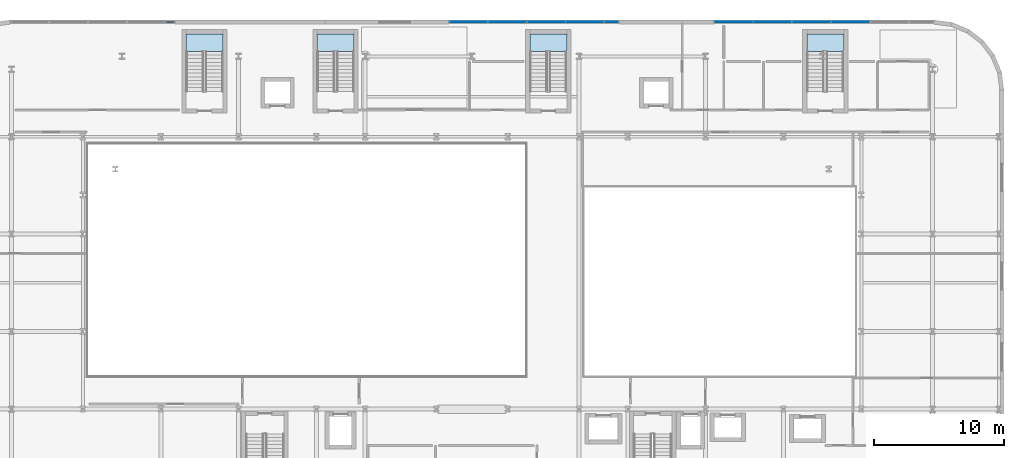
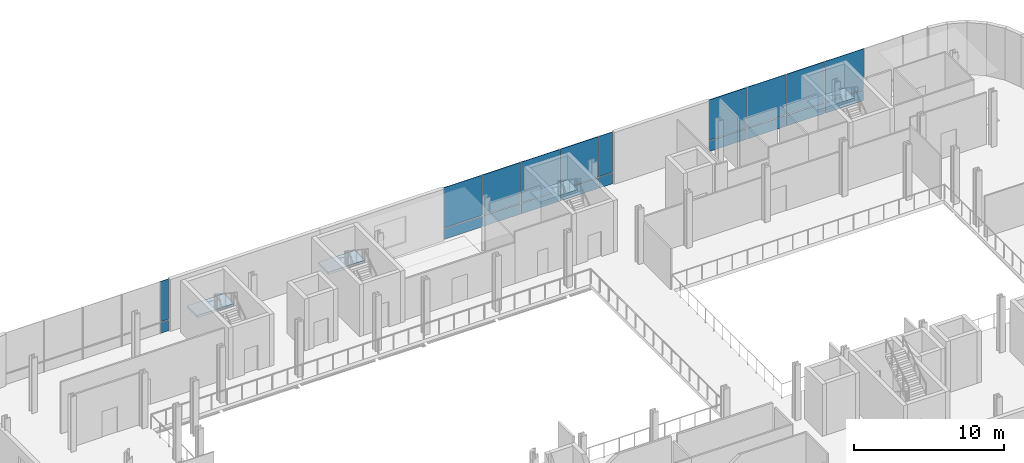
# One storey, part 14 of 25: 20 plates, 4 slabs, 7 elements without a shape of their own.
"""IFC4 building model written with IfcOpenShell, lengths in metres."""

import ifcopenshell
import ifcopenshell.guid

model = None  # the IFC model being written
_history = None  # IfcOwnerHistory: only IFC2X3 demands one
_inside = {}  # id of a spatial element -> (the spatial element, [elements in it])
_under = {}  # id of a project, library or spatial element -> (it, [spatial elements below it])
_declared = {}  # id of a project -> (the project, [libraries it declares])
_typed = {}  # id of a type object -> (the type object, [elements of that type])
_made_of = {}  # id of a material, layer set ... -> (it, [elements and type objects made of it])


def new_model(schema):
    """Start an empty IFC model of exactly this schema.

    Asked for "IFC4X3", IfcOpenShell would pick the latest addendum, in which some entities
    have other attributes; the version numbers below select the first issue.
    IFC2X3 requires an IfcOwnerHistory on every rooted entity: one is made here for all.
    """
    global model, _history
    if schema == "IFC4X3":
        model = ifcopenshell.file(schema_version=(4, 3, 0, 0))
    else:
        model = ifcopenshell.file(schema=schema)
    _inside.clear()
    _under.clear()
    _declared.clear()
    _typed.clear()
    _made_of.clear()
    _history = None
    if model.schema == "IFC2X3":
        org = make("IfcOrganization", Name="unknown")
        user = make(
            "IfcPersonAndOrganization",
            ThePerson=make("IfcPerson", FamilyName="unknown"),
            TheOrganization=org,
        )
        app = make(
            "IfcApplication",
            ApplicationDeveloper=org,
            Version="unknown",
            ApplicationFullName="unknown",
            ApplicationIdentifier="unknown",
        )
        _history = make(
            "IfcOwnerHistory",
            OwningUser=user,
            OwningApplication=app,
            ChangeAction="ADDED",
            CreationDate=0,
        )
    return model


def make(cls, **values):
    """One entity of the class cls with the attributes given. An attribute that is None is left unset."""
    return model.create_entity(
        cls, **{name: value for name, value in values.items() if value is not None}
    )


def rooted(cls, **values):
    """An entity with a GlobalId (a new one), such as an element, a storey or a relation."""
    return make(cls, GlobalId=ifcopenshell.guid.new(), OwnerHistory=_history, **values)


def si_unit(unit_type, name, prefix=None):
    """IfcSIUnit, for example si_unit("LENGTHUNIT", "METRE", prefix="MILLI")."""
    return make("IfcSIUnit", UnitType=unit_type, Prefix=prefix, Name=name)


def assignment(units):
    """IfcUnitAssignment: the units of a project."""
    return None if units is None else make("IfcUnitAssignment", Units=units)


def point(xyz):
    """IfcCartesianPoint."""
    return None if xyz is None else make("IfcCartesianPoint", Coordinates=xyz)


def direction(xyz):
    """IfcDirection."""
    return None if xyz is None else make("IfcDirection", DirectionRatios=xyz)


def frame(location, z_axis=None, x_axis=None):
    """IfcAxis2Placement3D, a coordinate frame: its origin and axes. An axis left out is left unset."""
    return make(
        "IfcAxis2Placement3D",
        Location=point(location),
        Axis=direction(z_axis),
        RefDirection=direction(x_axis),
    )


def frame_2d(location, x_axis=None):
    """IfcAxis2Placement2D, a coordinate frame in the plane: its origin and x axis."""
    return make(
        "IfcAxis2Placement2D", Location=point(location), RefDirection=direction(x_axis)
    )


def origin():
    """The frame at (0, 0, 0) with its axes left unset."""
    return frame((0.0, 0.0, 0.0))


def origin_2d():
    """The frame at (0, 0) in the plane with its x axis left unset."""
    return frame_2d((0.0, 0.0))


def place(relative_to, where):
    """IfcLocalPlacement: puts the frame where relative to a parent placement (None: the world)."""
    return make(
        "IfcLocalPlacement", PlacementRelTo=relative_to, RelativePlacement=where
    )


def context(
    kind, dimensions, precision=None, world=None, true_north=None, identifier=None
):
    """IfcGeometricRepresentationContext, for example the 3D "Model" context."""
    return make(
        "IfcGeometricRepresentationContext",
        ContextIdentifier=identifier,
        ContextType=kind,
        CoordinateSpaceDimension=dimensions,
        Precision=precision,
        WorldCoordinateSystem=world,
        TrueNorth=true_north,
    )


def subcontext(parent, identifier, kind, view, scale=None):
    """IfcGeometricRepresentationSubContext, for example "Body" below "Model"."""
    return make(
        "IfcGeometricRepresentationSubContext",
        ContextIdentifier=identifier,
        ContextType=kind,
        ParentContext=parent,
        TargetScale=scale,
        TargetView=view,
    )


def project(units=None, contexts=None):
    """IfcProject with its units and contexts."""
    return rooted(
        "IfcProject",
        Name="project",
        RepresentationContexts=contexts,
        UnitsInContext=assignment(units),
    )


def spatial(cls, under=None, at=None, **own):
    """A site, building, storey or space (cls), placed at a placement, below another one or the project."""
    s = rooted(cls, ObjectPlacement=at, **own)
    if under is not None:
        _under.setdefault(under.id(), (under, []))[1].append(s)
    return s


def polyline(points):
    """IfcPolyline through the points."""
    return make("IfcPolyline", Points=[point(p) for p in points])


def profile(cls, at=None, kind="AREA", **sizes):
    """A parametric profile (cls). Its sizes go by their IFC names, for example OverallWidth=200.0."""
    return make(cls, ProfileType=kind, Position=at, **sizes)


def rectangle(**sizes):
    """IfcRectangleProfileDef."""
    return profile("IfcRectangleProfileDef", **sizes)


def outline(outer, holes=None, kind="AREA"):
    """IfcArbitraryClosedProfileDef: a profile drawn as a closed curve; with holes, ...WithVoids."""
    if holes is None:
        return make("IfcArbitraryClosedProfileDef", ProfileType=kind, OuterCurve=outer)
    return make(
        "IfcArbitraryProfileDefWithVoids",
        ProfileType=kind,
        OuterCurve=outer,
        InnerCurves=holes,
    )


def extrude(swept, where, along, depth):
    """IfcExtrudedAreaSolid: the profile swept, set in the frame where, extruded along a direction by depth."""
    return make(
        "IfcExtrudedAreaSolid",
        SweptArea=swept,
        Position=where,
        ExtrudedDirection=direction(along),
        Depth=depth,
    )


def shape(context_of_items, identifier, shape_type, items):
    """IfcShapeRepresentation: the items that make up one representation, for example the "Body"."""
    return make(
        "IfcShapeRepresentation",
        ContextOfItems=context_of_items,
        RepresentationIdentifier=identifier,
        RepresentationType=shape_type,
        Items=items,
    )


def material(Name=None, Category=None):
    """IfcMaterial."""
    return make("IfcMaterial", Name=Name, Category=Category)


def layer(
    of_material, thickness, ventilated=None, Name=None, Category=None, Priority=None
):
    """IfcMaterialLayer: one layer of a wall or slab, of a material (None: an air gap)."""
    return make(
        "IfcMaterialLayer",
        Material=of_material,
        LayerThickness=thickness,
        IsVentilated=ventilated,
        Name=Name,
        Category=Category,
        Priority=Priority,
    )


def layer_set(layers, Name=None):
    """IfcMaterialLayerSet."""
    return make("IfcMaterialLayerSet", MaterialLayers=layers, LayerSetName=Name)


def made_of(thing, what):
    """Note that an element or type object is made of a material, layer set ...; save() writes the relation."""
    if what is not None:
        _made_of.setdefault(what.id(), (what, []))[1].append(thing)
    return thing


def type_object(cls, material=None, **own):
    """A type object (cls), such as IfcWallType, which elements share."""
    return made_of(rooted(cls, **own), material)


def element(
    cls,
    number,
    at=None,
    inside=None,
    cuts=None,
    type_object=None,
    material=None,
    context=None,
    identifier="Body",
    shape_type=None,
    held_by="IfcProductDefinitionShape",
    body=None,
    shapes=None,
    **own,
):
    """One element of the class cls, such as IfcWall. Its Tag is "e" and its number.

    at: its placement. inside: the storey or other place that contains it. cuts: it is an
    opening in that element (IfcRelVoidsElement). A single representation is given by context,
    identifier, shape_type and body (its items); several are given by shapes. held_by: the class
    of the entity that holds the representations. save() writes the other relations.
    """
    e = rooted(cls, Tag="e%d" % number, ObjectPlacement=at, **own)
    if body is not None:
        shapes = [shape(context, identifier, shape_type, body)]
    if shapes is not None:
        e.Representation = make(held_by, Representations=shapes)
    if inside is not None:
        _inside.setdefault(inside.id(), (inside, []))[1].append(e)
    if cuts is not None:
        rooted(
            "IfcRelVoidsElement", RelatingBuildingElement=cuts, RelatedOpeningElement=e
        )
    if type_object is not None:
        _typed.setdefault(type_object.id(), (type_object, []))[1].append(e)
    return made_of(e, material)


def aggregate(whole, parts):
    """IfcRelAggregates: a whole, such as a stair, and the parts it consists of."""
    return rooted("IfcRelAggregates", RelatingObject=whole, RelatedObjects=parts)


def save(model, path):
    """Write the relations noted so far, then the file.

    IfcRelAggregates (storeys below a building ...), IfcRelContainedInSpatialStructure (elements
    in a storey), IfcRelDefinesByType, IfcRelAssociatesMaterial and IfcRelDeclares: one each for
    every whole, place, type object, material and project.
    """
    for whole, parts in _under.values():
        aggregate(whole, parts)
    for where, things in _inside.values():
        rooted(
            "IfcRelContainedInSpatialStructure",
            RelatedElements=things,
            RelatingStructure=where,
        )
    for kind, things in _typed.values():
        rooted("IfcRelDefinesByType", RelatedObjects=things, RelatingType=kind)
    for what, things in _made_of.values():
        rooted("IfcRelAssociatesMaterial", RelatedObjects=things, RelatingMaterial=what)
    for by, libraries in _declared.values():
        rooted("IfcRelDeclares", RelatingContext=by, RelatedDefinitions=libraries)
    model.write(path)


model = new_model("IFC4")

# Units and contexts
model_context = context("Model", 3, precision=1e-05, world=origin(), true_north=direction((0.0, 1.0)))
body_context = subcontext(model_context, "Body", "Model", "MODEL_VIEW")
ifc_project = project(units=[si_unit("LENGTHUNIT", "METRE"), si_unit("AREAUNIT", "SQUARE_METRE"), si_unit("VOLUMEUNIT", "CUBIC_METRE"), si_unit("PLANEANGLEUNIT", "RADIAN"), si_unit("MASSUNIT", "GRAM", prefix="KILO")], contexts=[model_context])

# Site, building, storey
site_placement = place(None, origin())
site = spatial("IfcSite", under=ifc_project, at=site_placement, CompositionType="ELEMENT")
building_placement = place(site_placement, origin())
building = spatial("IfcBuilding", under=site, at=building_placement, Name="Brevholm Reach", CompositionType="ELEMENT")
storey_placement = place(building_placement, frame((0.0, 0.0, 9.0)))
storey = spatial("IfcBuildingStorey", under=building, at=storey_placement, Name="L02", CompositionType="ELEMENT", Elevation=9.0)

# Curtain wall, plates
ifc_material_1 = material(Name="Dark Anodised Aluminium 6063-T6 and Solar-Control Glass", Category="aluminium")
ifc_layer_1 = layer(ifc_material_1, 0.1650390625)
ifc_layer_set_1 = layer_set([ifc_layer_1], Name="Dark Anodised Aluminium 6063-T6 and Solar-Control Glass")
curtain_wall_type = type_object("IfcCurtainWallType", Name="CW-03", PredefinedType="NOTDEFINED", material=ifc_layer_set_1)
curtain_wall_1_placement = place(storey_placement, origin())
curtain_wall_1 = element("IfcCurtainWall", 1, at=curtain_wall_1_placement, inside=storey, type_object=curtain_wall_type, Name="L02 Curtain Wall CW-03", PredefinedType="NOTDEFINED")
ifc_material_2 = material(Name="Triple-Glazed Acoustic School IGU Glass", Category="glass")
ifc_layer_2 = layer(ifc_material_2, 0.0439453125)
ifc_layer_set_2 = layer_set([ifc_layer_2], Name="Triple-Glazed Acoustic School IGU Glass")
plate_type = type_object("IfcPlateType", Name="CWP-ACU-44", PredefinedType="CURTAIN_PANEL", material=ifc_layer_set_2)
plate_1_placement = place(storey_placement, frame((6.732421875, 39.830078125, 0.0), z_axis=(0.0, 0.0, 1.0), x_axis=(1.0, 0.0, 0.0)))
plate_1 = element("IfcPlate", 2, at=plate_1_placement, type_object=plate_type, Name="CP-03 Glazing Panel 5.1", PredefinedType="CURTAIN_PANEL", context=body_context, shape_type="SweptSolid", body=[
    extrude(rectangle(XDim=0.594970703125, YDim=0.0439453125, at=origin_2d()), origin(), (0.0, 0.0, 1.0), 0.864990234375),
])
plate_2_placement = place(storey_placement, frame((6.732421875, 39.830078125, 0.93505859375), z_axis=(0.0, 0.0, 1.0), x_axis=(1.0, 0.0, 0.0)))
plate_2 = element("IfcPlate", 3, at=plate_2_placement, type_object=plate_type, Name="CP-03 Glazing Panel 5.2", PredefinedType="CURTAIN_PANEL", context=body_context, shape_type="SweptSolid", body=[
    extrude(rectangle(XDim=0.594970703125, YDim=0.0439453125, at=origin_2d()), origin(), (0.0, 0.0, 1.0), 3.284912109375),
])
aggregate(curtain_wall_1, [plate_1, plate_2])

curtain_wall_2_placement = place(storey_placement, origin())
curtain_wall_2 = element("IfcCurtainWall", 4, at=curtain_wall_2_placement, inside=storey, type_object=curtain_wall_type, Name="L02 Curtain Wall CW-03", PredefinedType="NOTDEFINED")
plate_3_placement = place(storey_placement, frame((29.717529296875, 39.830078125, 0.0), z_axis=(0.0, 0.0, 1.0), x_axis=(1.0, 0.0, 0.0)))
plate_3 = element("IfcPlate", 5, at=plate_3_placement, type_object=plate_type, Name="CP-03 Glazing Panel 1.1", PredefinedType="CURTAIN_PANEL", context=body_context, shape_type="SweptSolid", body=[
    extrude(rectangle(XDim=2.89501953125, YDim=0.0439453125, at=origin_2d()), origin(), (0.0, 0.0, 1.0), 0.864990234375),
])
plate_4_placement = place(storey_placement, frame((29.717529296875, 39.830078125, 0.93505859375), z_axis=(0.0, 0.0, 1.0), x_axis=(1.0, 0.0, 0.0)))
plate_4 = element("IfcPlate", 6, at=plate_4_placement, type_object=plate_type, Name="CP-03 Glazing Panel 1.2", PredefinedType="CURTAIN_PANEL", context=body_context, shape_type="SweptSolid", body=[
    extrude(rectangle(XDim=2.89501953125, YDim=0.0439453125, at=origin_2d()), origin(), (0.0, 0.0, 1.0), 3.284912109375),
])
plate_5_placement = place(storey_placement, frame((32.699951171875, 39.830078125, 0.0), z_axis=(0.0, 0.0, 1.0), x_axis=(1.0, 0.0, 0.0)))
plate_5 = element("IfcPlate", 7, at=plate_5_placement, type_object=plate_type, Name="CP-03 Glazing Panel 2.1", PredefinedType="CURTAIN_PANEL", context=body_context, shape_type="SweptSolid", body=[
    extrude(rectangle(XDim=2.929931640625, YDim=0.0439453125, at=origin_2d()), origin(), (0.0, 0.0, 1.0), 0.864990234375),
])
plate_6_placement = place(storey_placement, frame((32.699951171875, 39.830078125, 0.93505859375), z_axis=(0.0, 0.0, 1.0), x_axis=(1.0, 0.0, 0.0)))
plate_6 = element("IfcPlate", 8, at=plate_6_placement, type_object=plate_type, Name="CP-03 Glazing Panel 2.2", PredefinedType="CURTAIN_PANEL", context=body_context, shape_type="SweptSolid", body=[
    extrude(rectangle(XDim=2.929931640625, YDim=0.0439453125, at=origin_2d()), origin(), (0.0, 0.0, 1.0), 3.284912109375),
])
plate_7_placement = place(storey_placement, frame((35.699951171875, 39.830078125, 0.0), z_axis=(0.0, 0.0, 1.0), x_axis=(1.0, 0.0, 0.0)))
plate_7 = element("IfcPlate", 9, at=plate_7_placement, type_object=plate_type, Name="CP-03 Glazing Panel 3.1", PredefinedType="CURTAIN_PANEL", context=body_context, shape_type="SweptSolid", body=[
    extrude(rectangle(XDim=2.929931640625, YDim=0.0439453125, at=origin_2d()), origin(), (0.0, 0.0, 1.0), 0.864990234375),
])
plate_8_placement = place(storey_placement, frame((35.699951171875, 39.830078125, 0.93505859375), z_axis=(0.0, 0.0, 1.0), x_axis=(1.0, 0.0, 0.0)))
plate_8 = element("IfcPlate", 10, at=plate_8_placement, type_object=plate_type, Name="CP-03 Glazing Panel 3.2", PredefinedType="CURTAIN_PANEL", context=body_context, shape_type="SweptSolid", body=[
    extrude(rectangle(XDim=2.929931640625, YDim=0.0439453125, at=origin_2d()), origin(), (0.0, 0.0, 1.0), 3.284912109375),
])
plate_9_placement = place(storey_placement, frame((38.699951171875, 39.830078125, 0.0), z_axis=(0.0, 0.0, 1.0), x_axis=(1.0, 0.0, 0.0)))
plate_9 = element("IfcPlate", 11, at=plate_9_placement, type_object=plate_type, Name="CP-03 Glazing Panel 4.1", PredefinedType="CURTAIN_PANEL", context=body_context, shape_type="SweptSolid", body=[
    extrude(rectangle(XDim=2.929931640625, YDim=0.0439453125, at=origin_2d()), origin(), (0.0, 0.0, 1.0), 0.864990234375),
])
plate_10_placement = place(storey_placement, frame((38.699951171875, 39.830078125, 0.93505859375), z_axis=(0.0, 0.0, 1.0), x_axis=(1.0, 0.0, 0.0)))
plate_10 = element("IfcPlate", 12, at=plate_10_placement, type_object=plate_type, Name="CP-03 Glazing Panel 4.2", PredefinedType="CURTAIN_PANEL", context=body_context, shape_type="SweptSolid", body=[
    extrude(rectangle(XDim=2.929931640625, YDim=0.0439453125, at=origin_2d()), origin(), (0.0, 0.0, 1.0), 3.284912109375),
])
plate_11_placement = place(storey_placement, frame((40.757568359375, 39.830078125, 0.0), z_axis=(0.0, 0.0, 1.0), x_axis=(1.0, 0.0, 0.0)))
plate_11 = element("IfcPlate", 13, at=plate_11_placement, type_object=plate_type, Name="CP-03 Glazing Panel 5.1", PredefinedType="CURTAIN_PANEL", context=body_context, shape_type="SweptSolid", body=[
    extrude(rectangle(XDim=1.044921875, YDim=0.0439453125, at=origin_2d()), origin(), (0.0, 0.0, 1.0), 0.864990234375),
])
plate_12_placement = place(storey_placement, frame((40.757568359375, 39.830078125, 0.93505859375), z_axis=(0.0, 0.0, 1.0), x_axis=(1.0, 0.0, 0.0)))
plate_12 = element("IfcPlate", 14, at=plate_12_placement, type_object=plate_type, Name="CP-03 Glazing Panel 5.2", PredefinedType="CURTAIN_PANEL", context=body_context, shape_type="SweptSolid", body=[
    extrude(rectangle(XDim=1.044921875, YDim=0.0439453125, at=origin_2d()), origin(), (0.0, 0.0, 1.0), 3.284912109375),
])
aggregate(curtain_wall_2, [plate_3, plate_4, plate_5, plate_6, plate_7, plate_8, plate_9, plate_10, plate_11, plate_12])

curtain_wall_3_placement = place(storey_placement, origin())
curtain_wall_3 = element("IfcCurtainWall", 15, at=curtain_wall_3_placement, inside=storey, type_object=curtain_wall_type, Name="L02 Curtain Wall CW-03", PredefinedType="NOTDEFINED")
plate_13_placement = place(storey_placement, frame((50.16748046875, 39.830078125, 0.0), z_axis=(0.0, 0.0, 1.0), x_axis=(1.0, 0.0, 0.0)))
plate_13 = element("IfcPlate", 16, at=plate_13_placement, type_object=plate_type, Name="CP-03 Glazing Panel 1.1", PredefinedType="CURTAIN_PANEL", context=body_context, shape_type="SweptSolid", body=[
    extrude(rectangle(XDim=2.89501953125, YDim=0.0439453125, at=origin_2d()), origin(), (0.0, 0.0, 1.0), 0.864990234375),
])
plate_14_placement = place(storey_placement, frame((50.16748046875, 39.830078125, 0.93505859375), z_axis=(0.0, 0.0, 1.0), x_axis=(1.0, 0.0, 0.0)))
plate_14 = element("IfcPlate", 17, at=plate_14_placement, type_object=plate_type, Name="CP-03 Glazing Panel 1.2", PredefinedType="CURTAIN_PANEL", context=body_context, shape_type="SweptSolid", body=[
    extrude(rectangle(XDim=2.89501953125, YDim=0.0439453125, at=origin_2d()), origin(), (0.0, 0.0, 1.0), 3.284912109375),
])
plate_15_placement = place(storey_placement, frame((53.14990234375, 39.830078125, 0.0), z_axis=(0.0, 0.0, 1.0), x_axis=(1.0, 0.0, 0.0)))
plate_15 = element("IfcPlate", 18, at=plate_15_placement, type_object=plate_type, Name="CP-03 Glazing Panel 2.1", PredefinedType="CURTAIN_PANEL", context=body_context, shape_type="SweptSolid", body=[
    extrude(rectangle(XDim=2.929931640625, YDim=0.0439453125, at=origin_2d()), origin(), (0.0, 0.0, 1.0), 0.864990234375),
])
plate_16_placement = place(storey_placement, frame((53.14990234375, 39.830078125, 0.93505859375), z_axis=(0.0, 0.0, 1.0), x_axis=(1.0, 0.0, 0.0)))
plate_16 = element("IfcPlate", 19, at=plate_16_placement, type_object=plate_type, Name="CP-03 Glazing Panel 2.2", PredefinedType="CURTAIN_PANEL", context=body_context, shape_type="SweptSolid", body=[
    extrude(rectangle(XDim=2.929931640625, YDim=0.0439453125, at=origin_2d()), origin(), (0.0, 0.0, 1.0), 3.284912109375),
])
plate_17_placement = place(storey_placement, frame((56.14990234375, 39.830078125, 0.0), z_axis=(0.0, 0.0, 1.0), x_axis=(1.0, 0.0, 0.0)))
plate_17 = element("IfcPlate", 20, at=plate_17_placement, type_object=plate_type, Name="CP-03 Glazing Panel 3.1", PredefinedType="CURTAIN_PANEL", context=body_context, shape_type="SweptSolid", body=[
    extrude(rectangle(XDim=2.929931640625, YDim=0.0439453125, at=origin_2d()), origin(), (0.0, 0.0, 1.0), 0.864990234375),
])
plate_18_placement = place(storey_placement, frame((56.14990234375, 39.830078125, 0.93505859375), z_axis=(0.0, 0.0, 1.0), x_axis=(1.0, 0.0, 0.0)))
plate_18 = element("IfcPlate", 21, at=plate_18_placement, type_object=plate_type, Name="CP-03 Glazing Panel 3.2", PredefinedType="CURTAIN_PANEL", context=body_context, shape_type="SweptSolid", body=[
    extrude(rectangle(XDim=2.929931640625, YDim=0.0439453125, at=origin_2d()), origin(), (0.0, 0.0, 1.0), 3.284912109375),
])
plate_19_placement = place(storey_placement, frame((59.14990234375, 39.830078125, 0.0), z_axis=(0.0, 0.0, 1.0), x_axis=(1.0, 0.0, 0.0)))
plate_19 = element("IfcPlate", 22, at=plate_19_placement, type_object=plate_type, Name="CP-03 Glazing Panel 4.1", PredefinedType="CURTAIN_PANEL", context=body_context, shape_type="SweptSolid", body=[
    extrude(rectangle(XDim=2.929931640625, YDim=0.0439453125, at=origin_2d()), origin(), (0.0, 0.0, 1.0), 0.864990234375),
])
plate_20_placement = place(storey_placement, frame((59.14990234375, 39.830078125, 0.93505859375), z_axis=(0.0, 0.0, 1.0), x_axis=(1.0, 0.0, 0.0)))
plate_20 = element("IfcPlate", 23, at=plate_20_placement, type_object=plate_type, Name="CP-03 Glazing Panel 4.2", PredefinedType="CURTAIN_PANEL", context=body_context, shape_type="SweptSolid", body=[
    extrude(rectangle(XDim=2.929931640625, YDim=0.0439453125, at=origin_2d()), origin(), (0.0, 0.0, 1.0), 3.284912109375),
])
aggregate(curtain_wall_3, [plate_13, plate_14, plate_15, plate_16, plate_17, plate_18, plate_19, plate_20])

# Stair, slab
ifc_material_3 = material(Name="Precast Concrete C40/50", Category="concrete")
stair_type = type_object("IfcStairType", Name="STR-ESC-1250", PredefinedType="DOUBLE_RETURN_STAIR", material=ifc_material_3)
stair_1_placement = place(storey_placement, origin())
stair_1 = element("IfcStair", 24, at=stair_1_placement, inside=storey, type_object=stair_type, Name="L02 ST-S1", PredefinedType="DOUBLE_RETURN_STAIR")
ifc_material_4 = material(Name="Concrete C40/50", Category="concrete")
ifc_layer_3 = layer(ifc_material_4, 0.199951171875)
ifc_layer_set_3 = layer_set([ifc_layer_3], Name="Concrete C40/50")
slab_type = type_object("IfcSlabType", Name="SLB-LND-200", PredefinedType="LANDING", material=ifc_layer_set_3)
slab_1_placement = place(storey_placement, frame((0.0, 0.0, 2.050048828125)))
slab_1 = element("IfcSlab", 25, at=slab_1_placement, type_object=slab_type, Name="ST-S1 landing 1", PredefinedType="LANDING", context=body_context, shape_type="SweptSolid", body=[
    extrude(outline(polyline([(10.800048828125, 37.580078125), (10.800048828125, 38.929931640625), (7.949951171875, 38.929931640625), (7.949951171875, 37.580078125), (10.800048828125, 37.580078125)])), origin(), (0.0, 0.0, 1.0), 0.199951171875),
])
aggregate(stair_1, [slab_1])

stair_2_placement = place(storey_placement, origin())
stair_2 = element("IfcStair", 26, at=stair_2_placement, inside=storey, type_object=stair_type, Name="L02 ST-S2", PredefinedType="DOUBLE_RETURN_STAIR")
slab_2_placement = place(storey_placement, frame((0.0, 0.0, 2.050048828125)))
slab_2 = element("IfcSlab", 27, at=slab_2_placement, type_object=slab_type, Name="ST-S2 landing 1", PredefinedType="LANDING", context=body_context, shape_type="SweptSolid", body=[
    extrude(outline(polyline([(20.89990234375, 37.580078125), (20.89990234375, 38.929931640625), (18.050048828125, 38.929931640625), (18.050048828125, 37.580078125), (20.89990234375, 37.580078125)])), origin(), (0.0, 0.0, 1.0), 0.199951171875),
])
aggregate(stair_2, [slab_2])

stair_3_placement = place(storey_placement, origin())
stair_3 = element("IfcStair", 28, at=stair_3_placement, inside=storey, type_object=stair_type, Name="L02 ST-S3", PredefinedType="DOUBLE_RETURN_STAIR")
slab_3_placement = place(storey_placement, frame((0.0, 0.0, 2.050048828125)))
slab_3 = element("IfcSlab", 29, at=slab_3_placement, type_object=slab_type, Name="ST-S3 landing 1", PredefinedType="LANDING", context=body_context, shape_type="SweptSolid", body=[
    extrude(outline(polyline([(37.300048828125, 37.580078125), (37.300048828125, 38.929931640625), (34.449951171875, 38.929931640625), (34.449951171875, 37.580078125), (37.300048828125, 37.580078125)])), origin(), (0.0, 0.0, 1.0), 0.199951171875),
])
aggregate(stair_3, [slab_3])

stair_4_placement = place(storey_placement, origin())
stair_4 = element("IfcStair", 30, at=stair_4_placement, inside=storey, type_object=stair_type, Name="L02 ST-S4", PredefinedType="DOUBLE_RETURN_STAIR")
slab_4_placement = place(storey_placement, frame((0.0, 0.0, 2.050048828125)))
slab_4 = element("IfcSlab", 31, at=slab_4_placement, type_object=slab_type, Name="ST-S4 landing 1", PredefinedType="LANDING", context=body_context, shape_type="SweptSolid", body=[
    extrude(outline(polyline([(58.64990234375, 37.580078125), (58.64990234375, 38.929931640625), (55.800048828125, 38.929931640625), (55.800048828125, 37.580078125), (58.64990234375, 37.580078125)])), origin(), (0.0, 0.0, 1.0), 0.199951171875),
])
aggregate(stair_4, [slab_4])

save(model, "model.ifc")
